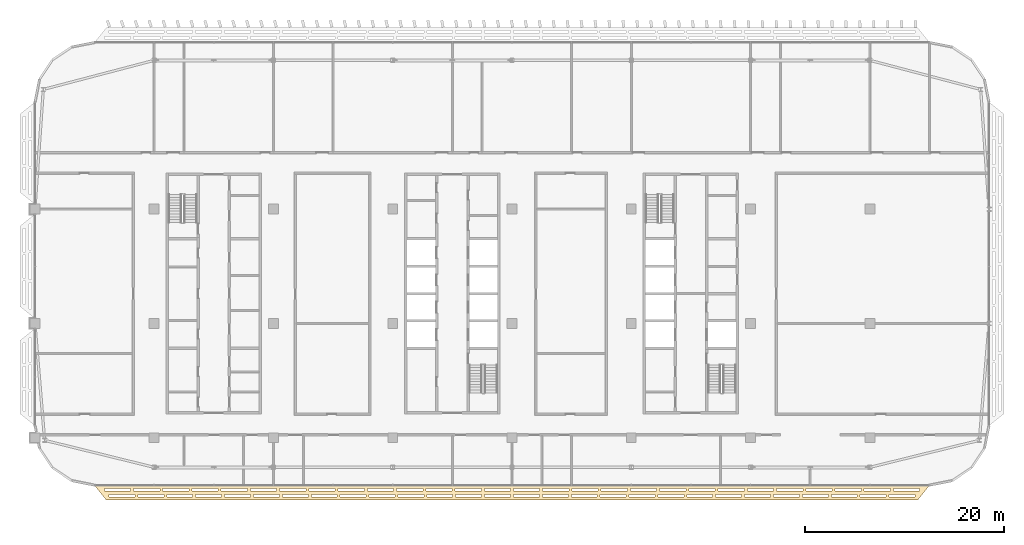
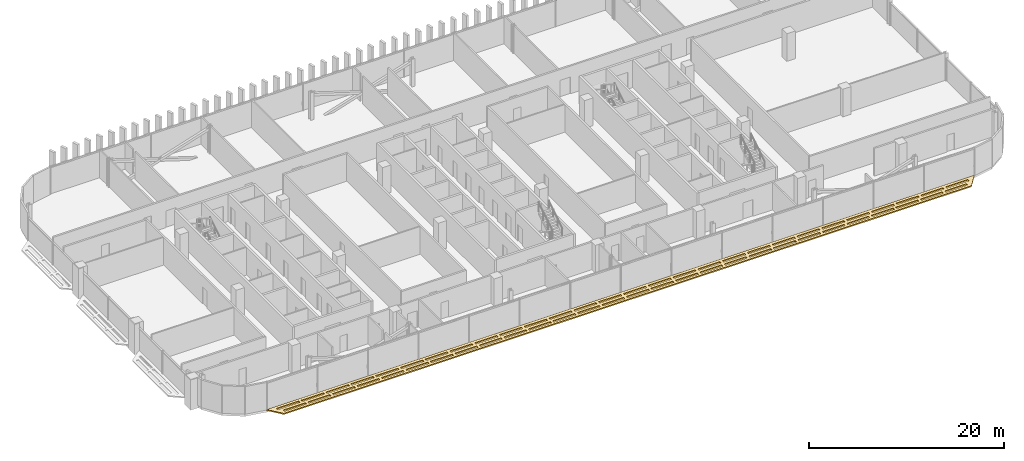
# One storey, part 28 of 32: 1 covering.
"""IFC4 building model written with IfcOpenShell, lengths in metres."""

from ifc_helpers import new_model, si_unit, direction, frame, origin, place, context, subcontext, project, spatial, polyline, outline, extrude, material, layer, layer_set, type_object, element, save


model = new_model("IFC4")

# Units and contexts
model_context = context("Model", 3, precision=1e-05, world=origin(), true_north=direction((0.0, 1.0)))
body_context = subcontext(model_context, "Body", "Model", "MODEL_VIEW")
ifc_project = project(units=[si_unit("LENGTHUNIT", "METRE"), si_unit("AREAUNIT", "SQUARE_METRE"), si_unit("VOLUMEUNIT", "CUBIC_METRE"), si_unit("PLANEANGLEUNIT", "RADIAN"), si_unit("MASSUNIT", "GRAM", prefix="KILO")], contexts=[model_context])

# Site, building, storey
site_placement = place(None, origin())
site = spatial("IfcSite", under=ifc_project, at=site_placement, CompositionType="ELEMENT")
building_placement = place(site_placement, origin())
building = spatial("IfcBuilding", under=site, at=building_placement, Name="Mahtab Terrace Research Tower", CompositionType="ELEMENT")
storey_placement = place(building_placement, frame((0.0, 0.0, 236.199951171875)))
storey = spatial("IfcBuildingStorey", under=building, at=storey_placement, Name="L57", CompositionType="ELEMENT", Elevation=236.199951171875)

# Covering
ifc_material = material(Name="Black anodised aluminium", Category="aluminium")
ifc_layer = layer(ifc_material, 0.14990234375)
ifc_layer_set = layer_set([ifc_layer], Name="Horizontal sunshade band")
covering_type = type_object("IfcCoveringType", Name="Horizontal sunshade band", PredefinedType="CLADDING", material=ifc_layer_set)
covering_placement = place(storey_placement, frame((0.0, 0.0, -0.14990234375)))
element("IfcCovering", 1, at=covering_placement, inside=storey, type_object=covering_type, Name="Sunshade band L57 16", PredefinedType="CLADDING", context=body_context, shape_type="SweptSolid", body=[
    extrude(outline(polyline([(-36.0, -16.278076171875), (48.0, -16.278076171875), (46.800048828125, -17.778076171875), (-34.800048828125, -17.778076171875), (-36.0, -16.278076171875)]), holes=[polyline([(-35.02001953125, -16.6279296875), (-32.37890625, -16.6279296875), (-32.37890625, -16.8779296875), (-35.02001953125, -16.8779296875), (-35.02001953125, -16.6279296875)]), polyline([(-32.0791015625, -16.6279296875), (-29.43896484375, -16.6279296875), (-29.43896484375, -16.8779296875), (-32.0791015625, -16.8779296875), (-32.0791015625, -16.6279296875)]), polyline([(-29.138916015625, -16.6279296875), (-26.498046875, -16.6279296875), (-26.498046875, -16.8779296875), (-29.138916015625, -16.8779296875), (-29.138916015625, -16.6279296875)]), polyline([(-26.197998046875, -16.6279296875), (-23.556884765625, -16.6279296875), (-23.556884765625, -16.8779296875), (-26.197998046875, -16.8779296875), (-26.197998046875, -16.6279296875)]), polyline([(-23.257080078125, -16.6279296875), (-20.615966796875, -16.6279296875), (-20.615966796875, -16.8779296875), (-23.257080078125, -16.8779296875), (-23.257080078125, -16.6279296875)]), polyline([(-20.31591796875, -16.6279296875), (-17.676025390625, -16.6279296875), (-17.676025390625, -16.8779296875), (-20.31591796875, -16.8779296875), (-20.31591796875, -16.6279296875)]), polyline([(-17.3759765625, -16.6279296875), (-14.735107421875, -16.6279296875), (-14.735107421875, -16.8779296875), (-17.3759765625, -16.8779296875), (-17.3759765625, -16.6279296875)]), polyline([(-14.43505859375, -16.6279296875), (-11.7939453125, -16.6279296875), (-11.7939453125, -16.8779296875), (-14.43505859375, -16.8779296875), (-14.43505859375, -16.6279296875)]), polyline([(-11.493896484375, -16.6279296875), (-8.85400390625, -16.6279296875), (-8.85400390625, -16.8779296875), (-11.493896484375, -16.8779296875), (-11.493896484375, -16.6279296875)]), polyline([(-8.553955078125, -16.6279296875), (-5.9130859375, -16.6279296875), (-5.9130859375, -16.8779296875), (-8.553955078125, -16.8779296875), (-8.553955078125, -16.6279296875)]), polyline([(-5.613037109375, -16.6279296875), (-2.971923828125, -16.6279296875), (-2.971923828125, -16.8779296875), (-5.613037109375, -16.8779296875), (-5.613037109375, -16.6279296875)]), polyline([(-2.672119140625, -16.6279296875), (-0.031005859375, -16.6279296875), (-0.031005859375, -16.8779296875), (-2.672119140625, -16.8779296875), (-2.672119140625, -16.6279296875)]), polyline([(0.26904296875, -16.6279296875), (2.908935546875, -16.6279296875), (2.908935546875, -16.8779296875), (0.26904296875, -16.8779296875), (0.26904296875, -16.6279296875)]), polyline([(3.208984375, -16.6279296875), (5.85009765625, -16.6279296875), (5.85009765625, -16.8779296875), (3.208984375, -16.8779296875), (3.208984375, -16.6279296875)]), polyline([(6.14990234375, -16.6279296875), (8.791015625, -16.6279296875), (8.791015625, -16.8779296875), (6.14990234375, -16.8779296875), (6.14990234375, -16.6279296875)]), polyline([(9.091064453125, -16.6279296875), (11.73095703125, -16.6279296875), (11.73095703125, -16.8779296875), (9.091064453125, -16.8779296875), (9.091064453125, -16.6279296875)]), polyline([(12.031005859375, -16.6279296875), (14.672119140625, -16.6279296875), (14.672119140625, -16.8779296875), (12.031005859375, -16.8779296875), (12.031005859375, -16.6279296875)]), polyline([(14.971923828125, -16.6279296875), (17.613037109375, -16.6279296875), (17.613037109375, -16.8779296875), (14.971923828125, -16.8779296875), (14.971923828125, -16.6279296875)]), polyline([(17.9130859375, -16.6279296875), (20.553955078125, -16.6279296875), (20.553955078125, -16.8779296875), (17.9130859375, -16.8779296875), (17.9130859375, -16.6279296875)]), polyline([(20.85400390625, -16.6279296875), (23.493896484375, -16.6279296875), (23.493896484375, -16.8779296875), (20.85400390625, -16.8779296875), (20.85400390625, -16.6279296875)]), polyline([(23.7939453125, -16.6279296875), (26.43505859375, -16.6279296875), (26.43505859375, -16.8779296875), (23.7939453125, -16.8779296875), (23.7939453125, -16.6279296875)]), polyline([(26.735107421875, -16.6279296875), (29.3759765625, -16.6279296875), (29.3759765625, -16.8779296875), (26.735107421875, -16.8779296875), (26.735107421875, -16.6279296875)]), polyline([(29.676025390625, -16.6279296875), (32.31591796875, -16.6279296875), (32.31591796875, -16.8779296875), (29.676025390625, -16.8779296875), (29.676025390625, -16.6279296875)]), polyline([(32.615966796875, -16.6279296875), (35.257080078125, -16.6279296875), (35.257080078125, -16.8779296875), (32.615966796875, -16.8779296875), (32.615966796875, -16.6279296875)]), polyline([(35.556884765625, -16.6279296875), (38.197998046875, -16.6279296875), (38.197998046875, -16.8779296875), (35.556884765625, -16.8779296875), (35.556884765625, -16.6279296875)]), polyline([(38.498046875, -16.6279296875), (41.138916015625, -16.6279296875), (41.138916015625, -16.8779296875), (38.498046875, -16.8779296875), (38.498046875, -16.6279296875)]), polyline([(41.43896484375, -16.6279296875), (44.0791015625, -16.6279296875), (44.0791015625, -16.8779296875), (41.43896484375, -16.8779296875), (41.43896484375, -16.6279296875)]), polyline([(44.37890625, -16.6279296875), (47.02001953125, -16.6279296875), (47.02001953125, -16.8779296875), (44.37890625, -16.8779296875), (44.37890625, -16.6279296875)]), polyline([(-34.5400390625, -17.22802734375), (-31.93408203125, -17.22802734375), (-31.93408203125, -17.47802734375), (-34.5400390625, -17.47802734375), (-34.5400390625, -17.22802734375)]), polyline([(-31.634033203125, -17.22802734375), (-29.027099609375, -17.22802734375), (-29.027099609375, -17.47802734375), (-31.634033203125, -17.47802734375), (-31.634033203125, -17.22802734375)]), polyline([(-28.72705078125, -17.22802734375), (-26.12109375, -17.22802734375), (-26.12109375, -17.47802734375), (-28.72705078125, -17.47802734375), (-28.72705078125, -17.22802734375)]), polyline([(-25.821044921875, -17.22802734375), (-23.214111328125, -17.22802734375), (-23.214111328125, -17.47802734375), (-25.821044921875, -17.47802734375), (-25.821044921875, -17.22802734375)]), polyline([(-22.9140625, -17.22802734375), (-20.30810546875, -17.22802734375), (-20.30810546875, -17.47802734375), (-22.9140625, -17.47802734375), (-22.9140625, -17.22802734375)]), polyline([(-20.008056640625, -17.22802734375), (-17.40087890625, -17.22802734375), (-17.40087890625, -17.47802734375), (-20.008056640625, -17.47802734375), (-20.008056640625, -17.22802734375)]), polyline([(-17.10107421875, -17.22802734375), (-14.4951171875, -17.22802734375), (-14.4951171875, -17.47802734375), (-17.10107421875, -17.47802734375), (-17.10107421875, -17.22802734375)]), polyline([(-14.195068359375, -17.22802734375), (-11.589111328125, -17.22802734375), (-11.589111328125, -17.47802734375), (-14.195068359375, -17.47802734375), (-14.195068359375, -17.22802734375)]), polyline([(-11.2890625, -17.22802734375), (-8.681884765625, -17.22802734375), (-8.681884765625, -17.47802734375), (-11.2890625, -17.47802734375), (-11.2890625, -17.22802734375)]), polyline([(-8.382080078125, -17.22802734375), (-5.77587890625, -17.22802734375), (-5.77587890625, -17.47802734375), (-8.382080078125, -17.47802734375), (-8.382080078125, -17.22802734375)]), polyline([(-5.47607421875, -17.22802734375), (-2.868896484375, -17.22802734375), (-2.868896484375, -17.47802734375), (-5.47607421875, -17.47802734375), (-5.47607421875, -17.22802734375)]), polyline([(-2.569091796875, -17.22802734375), (0.037109375, -17.22802734375), (0.037109375, -17.47802734375), (-2.569091796875, -17.47802734375), (-2.569091796875, -17.22802734375)]), polyline([(0.3369140625, -17.22802734375), (2.944091796875, -17.22802734375), (2.944091796875, -17.47802734375), (0.3369140625, -17.47802734375), (0.3369140625, -17.22802734375)]), polyline([(3.243896484375, -17.22802734375), (5.85009765625, -17.22802734375), (5.85009765625, -17.47802734375), (3.243896484375, -17.47802734375), (3.243896484375, -17.22802734375)]), polyline([(6.14990234375, -17.22802734375), (8.756103515625, -17.22802734375), (8.756103515625, -17.47802734375), (6.14990234375, -17.47802734375), (6.14990234375, -17.22802734375)]), polyline([(9.055908203125, -17.22802734375), (11.6630859375, -17.22802734375), (11.6630859375, -17.47802734375), (9.055908203125, -17.47802734375), (9.055908203125, -17.22802734375)]), polyline([(11.962890625, -17.22802734375), (14.569091796875, -17.22802734375), (14.569091796875, -17.47802734375), (11.962890625, -17.47802734375), (11.962890625, -17.22802734375)]), polyline([(14.868896484375, -17.22802734375), (17.47607421875, -17.22802734375), (17.47607421875, -17.47802734375), (14.868896484375, -17.47802734375), (14.868896484375, -17.22802734375)]), polyline([(17.77587890625, -17.22802734375), (20.382080078125, -17.22802734375), (20.382080078125, -17.47802734375), (17.77587890625, -17.47802734375), (17.77587890625, -17.22802734375)]), polyline([(20.681884765625, -17.22802734375), (23.2890625, -17.22802734375), (23.2890625, -17.47802734375), (20.681884765625, -17.47802734375), (20.681884765625, -17.22802734375)]), polyline([(23.589111328125, -17.22802734375), (26.195068359375, -17.22802734375), (26.195068359375, -17.47802734375), (23.589111328125, -17.47802734375), (23.589111328125, -17.22802734375)]), polyline([(26.4951171875, -17.22802734375), (29.10107421875, -17.22802734375), (29.10107421875, -17.47802734375), (26.4951171875, -17.47802734375), (26.4951171875, -17.22802734375)]), polyline([(29.40087890625, -17.22802734375), (32.008056640625, -17.22802734375), (32.008056640625, -17.47802734375), (29.40087890625, -17.47802734375), (29.40087890625, -17.22802734375)]), polyline([(32.30810546875, -17.22802734375), (34.9140625, -17.22802734375), (34.9140625, -17.47802734375), (32.30810546875, -17.47802734375), (32.30810546875, -17.22802734375)]), polyline([(35.214111328125, -17.22802734375), (37.821044921875, -17.22802734375), (37.821044921875, -17.47802734375), (35.214111328125, -17.47802734375), (35.214111328125, -17.22802734375)]), polyline([(38.12109375, -17.22802734375), (40.72705078125, -17.22802734375), (40.72705078125, -17.47802734375), (38.12109375, -17.47802734375), (38.12109375, -17.22802734375)]), polyline([(41.027099609375, -17.22802734375), (43.634033203125, -17.22802734375), (43.634033203125, -17.47802734375), (41.027099609375, -17.47802734375), (41.027099609375, -17.22802734375)]), polyline([(43.93408203125, -17.22802734375), (46.5400390625, -17.22802734375), (46.5400390625, -17.47802734375), (43.93408203125, -17.47802734375), (43.93408203125, -17.22802734375)])]), origin(), (0.0, 0.0, 1.0), 0.14990234375),
])

save(model, "model.ifc")
